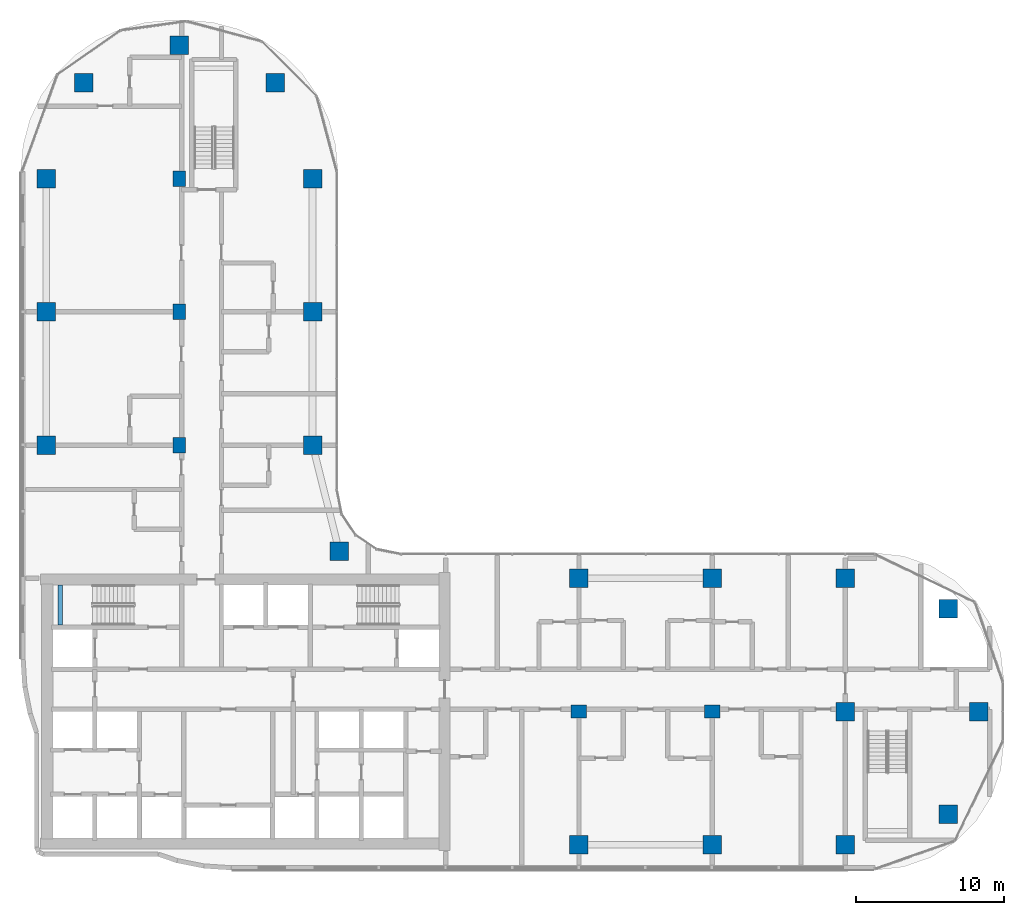
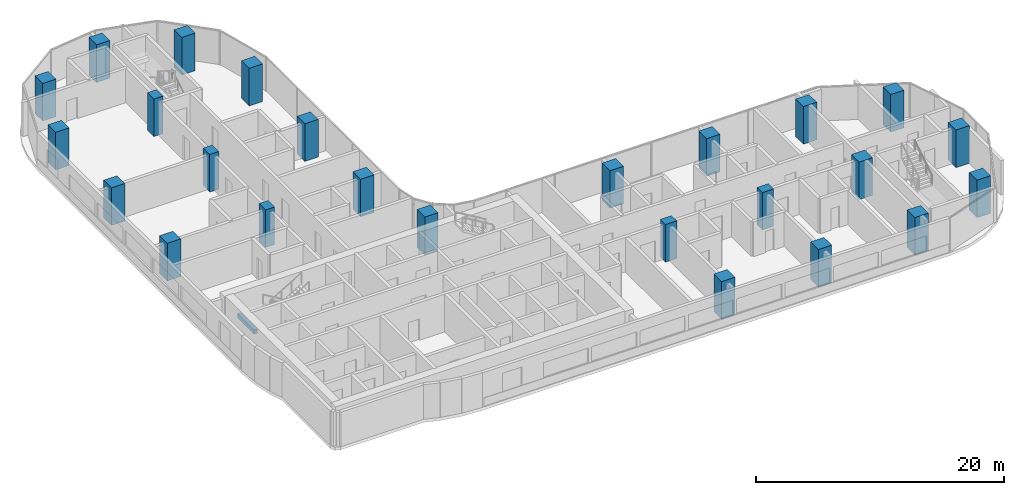
# One storey, part 1 of 22: 25 columns, 1 beam.
"""IFC4 building model written with IfcOpenShell, lengths in metres."""

from ifc_helpers import new_model, si_unit, direction, frame, origin, origin_2d, place, context, subcontext, project, spatial, rectangle, extrude, material, material_profile, profile_set, type_object, element, save


model = new_model("IFC4")

# Units and contexts
model_context = context("Model", 3, precision=1e-05, world=origin(), true_north=direction((0.0, 1.0)))
body_context = subcontext(model_context, "Body", "Model", "MODEL_VIEW")
ifc_project = project(units=[si_unit("LENGTHUNIT", "METRE"), si_unit("AREAUNIT", "SQUARE_METRE"), si_unit("VOLUMEUNIT", "CUBIC_METRE"), si_unit("PLANEANGLEUNIT", "RADIAN"), si_unit("MASSUNIT", "GRAM", prefix="KILO")], contexts=[model_context])

# Site, building, storey
site_placement = place(None, origin())
site = spatial("IfcSite", under=ifc_project, at=site_placement, CompositionType="ELEMENT")
building_placement = place(site_placement, origin())
building = spatial("IfcBuilding", under=site, at=building_placement, Name="Ogive Portal Towers", CompositionType="ELEMENT")
storey_placement = place(building_placement, frame((0.0, 0.0, 131.5)))
storey = spatial("IfcBuildingStorey", under=building, at=storey_placement, Name="L32", CompositionType="ELEMENT", Elevation=131.5)

# Columns
ifc_material_1 = material(Name="Concrete C60/75", Category="concrete")
ifc_material_profile_1 = material_profile(ifc_material_1, rectangle(XDim=1.050048828125, YDim=0.85009765625, at=origin_2d()), Name="RC 1050x850")
ifc_profile_set_1 = profile_set([ifc_material_profile_1], Name="Concrete C60/75")
column_type_1 = type_object("IfcColumnType", Name="COLUMN RC 1050x850", PredefinedType="COLUMN", material=ifc_profile_set_1)
for number, where, z_axis, x_axis, name in (
    (1, (67.5, 30.5, 0.0), (0.0, 0.0, 1.0), (1.0, 0.0, 0.0), "Column 5/B L32"),
    (2, (76.5, 30.5, 0.0), (0.0, 0.0, 1.0), (1.0, 0.0, 0.0), "Column 6/B L32"),
    (3, (40.5, 48.5, 0.0), (0.0, 0.0, 1.0), (0.0, 1.0, 0.0), "Column 2/D L32"),
    (4, (40.5, 57.5, 0.0), (0.0, 0.0, 1.0), (0.0, 1.0, 0.0), "Column 2/E L32"),
    (5, (40.5, 66.5, 0.0), (0.0, 0.0, 1.0), (0.0, 1.0, 0.0), "Column 2/F L32"),
):
    element("IfcColumn", number, at=place(storey_placement, frame(where, z_axis=z_axis, x_axis=x_axis)), inside=storey, type_object=column_type_1, Name=name, PredefinedType="COLUMN", context=body_context, shape_type="SweptSolid", body=[
        extrude(rectangle(XDim=1.050048828125, YDim=0.85009765625, at=origin_2d()), origin(), (0.0, 0.0, 1.0), 3.699951171875),
    ])
ifc_material_profile_2 = material_profile(ifc_material_1, rectangle(XDim=1.25, YDim=1.25, at=origin_2d()), Name="RC 1250x1250")
ifc_profile_set_2 = profile_set([ifc_material_profile_2], Name="Concrete C60/75")
column_type_2 = type_object("IfcColumnType", Name="COLUMN RC 1250x1250", PredefinedType="COLUMN", material=ifc_profile_set_2)
for number, where, z_axis, x_axis, name in (
    (6, (67.5, 21.5, 0.0), (0.0, 0.0, 1.0), (1.0, 0.0, 0.0), "Column 5/A L32"),
    (7, (76.5, 21.5, 0.0), (0.0, 0.0, 1.0), (1.0, 0.0, 0.0), "Column 6/A L32"),
    (8, (85.5, 21.5, 0.0), (0.0, 0.0, 1.0), (1.0, 0.0, 0.0), "Column 7/A L32"),
    (9, (92.449951171875, 23.550048828125, 0.0), (0.0, 0.0, 1.0), (1.0, 0.0, 0.0), "Column L32"),
    (10, (85.5, 30.5, 0.0), (0.0, 0.0, 1.0), (1.0, 0.0, 0.0), "Column 7/B L32"),
    (11, (94.5, 30.5, 0.0), (0.0, 0.0, 1.0), (1.0, 0.0, 0.0), "Column 8/B L32"),
    (12, (92.449951171875, 37.449951171875, 0.0), (0.0, 0.0, 1.0), (1.0, 0.0, 0.0), "Column L32"),
    (13, (67.5, 39.5, 0.0), (0.0, 0.0, 1.0), (1.0, 0.0, 0.0), "Column 5/C L32"),
    (14, (76.5, 39.5, 0.0), (0.0, 0.0, 1.0), (1.0, 0.0, 0.0), "Column 6/C L32"),
    (15, (85.5, 39.5, 0.0), (0.0, 0.0, 1.0), (1.0, 0.0, 0.0), "Column 7/C L32"),
    (16, (51.31005859375, 41.31005859375, 0.0), (0.0, 0.0, 1.0), (1.0, 0.0, 0.0), "Column L32"),
    (17, (31.5, 48.5, 0.0), (0.0, 0.0, 1.0), (1.0, 0.0, 0.0), "Column 1/D L32"),
    (18, (49.5, 48.5, 0.0), (0.0, 0.0, 1.0), (1.0, 0.0, 0.0), "Column 3/D L32"),
    (19, (31.5, 57.5, 0.0), (0.0, 0.0, 1.0), (1.0, 0.0, 0.0), "Column 1/E L32"),
    (20, (49.5, 57.5, 0.0), (0.0, 0.0, 1.0), (1.0, 0.0, 0.0), "Column 3/E L32"),
    (21, (31.5, 66.5, 0.0), (0.0, 0.0, 1.0), (1.0, 0.0, 0.0), "Column 1/F L32"),
    (22, (49.5, 66.5, 0.0), (0.0, 0.0, 1.0), (1.0, 0.0, 0.0), "Column 3/F L32"),
    (23, (34.027099609375, 72.972900390625, 0.0), (0.0, 0.0, 1.0), (1.0, 0.0, 0.0), "Column L32"),
    (24, (46.972900390625, 72.972900390625, 0.0), (0.0, 0.0, 1.0), (1.0, 0.0, 0.0), "Column L32"),
    (25, (40.5, 75.5, 0.0), (0.0, 0.0, 1.0), (1.0, 0.0, 0.0), "Column 2/G L32"),
):
    element("IfcColumn", number, at=place(storey_placement, frame(where, z_axis=z_axis, x_axis=x_axis)), inside=storey, type_object=column_type_2, Name=name, PredefinedType="COLUMN", context=body_context, shape_type="SweptSolid", body=[
        extrude(rectangle(XDim=1.25, YDim=1.25, at=origin_2d()), origin(), (0.0, 0.0, 1.0), 3.699951171875),
    ])

# Beam
ifc_material_2 = material(Name="Concrete C40/50", Category="concrete")
ifc_material_profile_3 = material_profile(ifc_material_2, rectangle(XDim=0.300048828125, YDim=0.39990234375, at=origin_2d()), Name="RC 300x400")
ifc_profile_set_3 = profile_set([ifc_material_profile_3], Name="Concrete C40/50")
beam_type = type_object("IfcBeamType", Name="BEAM RC 300x400", PredefinedType="BEAM", material=ifc_profile_set_3)
beam_placement = place(storey_placement, frame((32.449951171875, 36.35009765625, 1.449951171875), z_axis=(0.0, 1.0, 0.0), x_axis=(-1.0, 0.0, 0.0)))
element("IfcBeam", 26, at=beam_placement, inside=storey, type_object=beam_type, Name="Landing beam L32", PredefinedType="BEAM", context=body_context, shape_type="SweptSolid", body=[
    extrude(rectangle(XDim=0.300048828125, YDim=0.39990234375, at=origin_2d()), origin(), (0.0, 0.0, 1.0), 2.699951171875),
])

save(model, "model.ifc")
